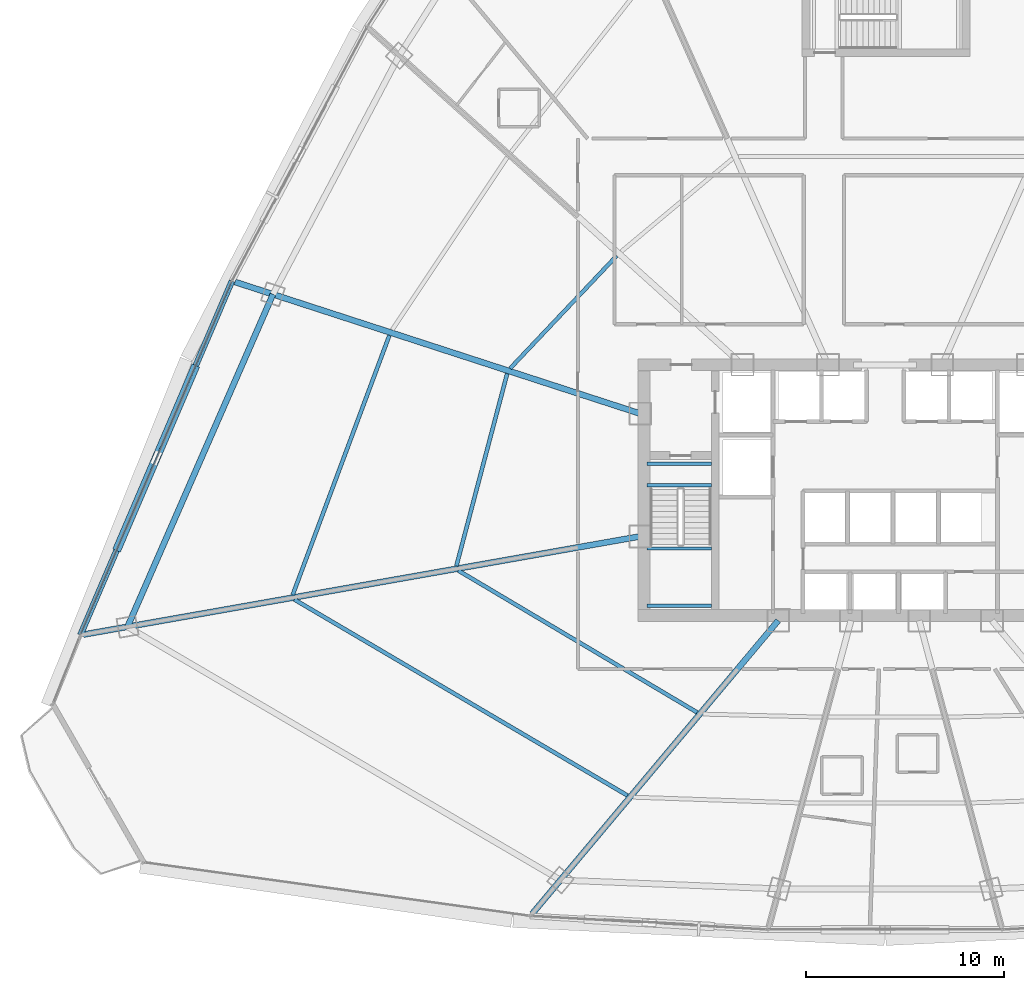
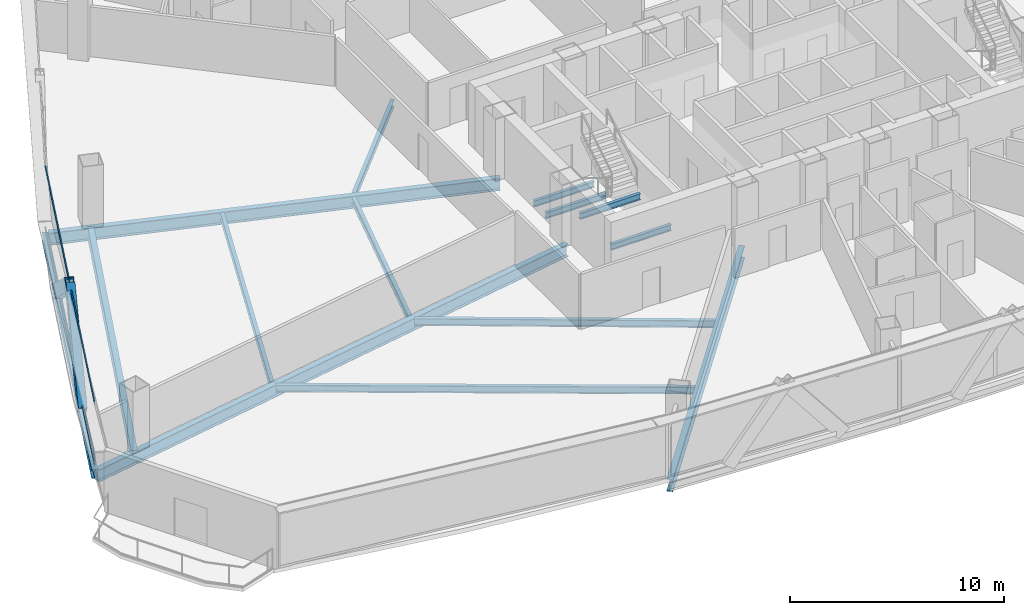
# One storey, part 7 of 37: 14 beams, 4 members, 1 element without a shape of its own.
"""IFC4 building model written with IfcOpenShell, lengths in metres."""

import ifcopenshell
import ifcopenshell.guid

model = None  # the IFC model being written
_history = None  # IfcOwnerHistory: only IFC2X3 demands one
_inside = {}  # id of a spatial element -> (the spatial element, [elements in it])
_under = {}  # id of a project, library or spatial element -> (it, [spatial elements below it])
_declared = {}  # id of a project -> (the project, [libraries it declares])
_typed = {}  # id of a type object -> (the type object, [elements of that type])
_made_of = {}  # id of a material, layer set ... -> (it, [elements and type objects made of it])


def new_model(schema):
    """Start an empty IFC model of exactly this schema.

    Asked for "IFC4X3", IfcOpenShell would pick the latest addendum, in which some entities
    have other attributes; the version numbers below select the first issue.
    IFC2X3 requires an IfcOwnerHistory on every rooted entity: one is made here for all.
    """
    global model, _history
    if schema == "IFC4X3":
        model = ifcopenshell.file(schema_version=(4, 3, 0, 0))
    else:
        model = ifcopenshell.file(schema=schema)
    _inside.clear()
    _under.clear()
    _declared.clear()
    _typed.clear()
    _made_of.clear()
    _history = None
    if model.schema == "IFC2X3":
        org = make("IfcOrganization", Name="unknown")
        user = make(
            "IfcPersonAndOrganization",
            ThePerson=make("IfcPerson", FamilyName="unknown"),
            TheOrganization=org,
        )
        app = make(
            "IfcApplication",
            ApplicationDeveloper=org,
            Version="unknown",
            ApplicationFullName="unknown",
            ApplicationIdentifier="unknown",
        )
        _history = make(
            "IfcOwnerHistory",
            OwningUser=user,
            OwningApplication=app,
            ChangeAction="ADDED",
            CreationDate=0,
        )
    return model


def make(cls, **values):
    """One entity of the class cls with the attributes given. An attribute that is None is left unset."""
    return model.create_entity(
        cls, **{name: value for name, value in values.items() if value is not None}
    )


def rooted(cls, **values):
    """An entity with a GlobalId (a new one), such as an element, a storey or a relation."""
    return make(cls, GlobalId=ifcopenshell.guid.new(), OwnerHistory=_history, **values)


def si_unit(unit_type, name, prefix=None):
    """IfcSIUnit, for example si_unit("LENGTHUNIT", "METRE", prefix="MILLI")."""
    return make("IfcSIUnit", UnitType=unit_type, Prefix=prefix, Name=name)


def assignment(units):
    """IfcUnitAssignment: the units of a project."""
    return None if units is None else make("IfcUnitAssignment", Units=units)


def point(xyz):
    """IfcCartesianPoint."""
    return None if xyz is None else make("IfcCartesianPoint", Coordinates=xyz)


def direction(xyz):
    """IfcDirection."""
    return None if xyz is None else make("IfcDirection", DirectionRatios=xyz)


def frame(location, z_axis=None, x_axis=None):
    """IfcAxis2Placement3D, a coordinate frame: its origin and axes. An axis left out is left unset."""
    return make(
        "IfcAxis2Placement3D",
        Location=point(location),
        Axis=direction(z_axis),
        RefDirection=direction(x_axis),
    )


def frame_2d(location, x_axis=None):
    """IfcAxis2Placement2D, a coordinate frame in the plane: its origin and x axis."""
    return make(
        "IfcAxis2Placement2D", Location=point(location), RefDirection=direction(x_axis)
    )


def origin():
    """The frame at (0, 0, 0) with its axes left unset."""
    return frame((0.0, 0.0, 0.0))


def origin_2d():
    """The frame at (0, 0) in the plane with its x axis left unset."""
    return frame_2d((0.0, 0.0))


def place(relative_to, where):
    """IfcLocalPlacement: puts the frame where relative to a parent placement (None: the world)."""
    return make(
        "IfcLocalPlacement", PlacementRelTo=relative_to, RelativePlacement=where
    )


def context(
    kind, dimensions, precision=None, world=None, true_north=None, identifier=None
):
    """IfcGeometricRepresentationContext, for example the 3D "Model" context."""
    return make(
        "IfcGeometricRepresentationContext",
        ContextIdentifier=identifier,
        ContextType=kind,
        CoordinateSpaceDimension=dimensions,
        Precision=precision,
        WorldCoordinateSystem=world,
        TrueNorth=true_north,
    )


def subcontext(parent, identifier, kind, view, scale=None):
    """IfcGeometricRepresentationSubContext, for example "Body" below "Model"."""
    return make(
        "IfcGeometricRepresentationSubContext",
        ContextIdentifier=identifier,
        ContextType=kind,
        ParentContext=parent,
        TargetScale=scale,
        TargetView=view,
    )


def project(units=None, contexts=None):
    """IfcProject with its units and contexts."""
    return rooted(
        "IfcProject",
        Name="project",
        RepresentationContexts=contexts,
        UnitsInContext=assignment(units),
    )


def spatial(cls, under=None, at=None, **own):
    """A site, building, storey or space (cls), placed at a placement, below another one or the project."""
    s = rooted(cls, ObjectPlacement=at, **own)
    if under is not None:
        _under.setdefault(under.id(), (under, []))[1].append(s)
    return s


def profile(cls, at=None, kind="AREA", **sizes):
    """A parametric profile (cls). Its sizes go by their IFC names, for example OverallWidth=200.0."""
    return make(cls, ProfileType=kind, Position=at, **sizes)


def hollow_rectangle(**sizes):
    """IfcRectangleHollowProfileDef."""
    return profile("IfcRectangleHollowProfileDef", **sizes)


def i_section(**sizes):
    """IfcIShapeProfileDef."""
    return profile("IfcIShapeProfileDef", **sizes)


def extrude(swept, where, along, depth):
    """IfcExtrudedAreaSolid: the profile swept, set in the frame where, extruded along a direction by depth."""
    return make(
        "IfcExtrudedAreaSolid",
        SweptArea=swept,
        Position=where,
        ExtrudedDirection=direction(along),
        Depth=depth,
    )


def shape(context_of_items, identifier, shape_type, items):
    """IfcShapeRepresentation: the items that make up one representation, for example the "Body"."""
    return make(
        "IfcShapeRepresentation",
        ContextOfItems=context_of_items,
        RepresentationIdentifier=identifier,
        RepresentationType=shape_type,
        Items=items,
    )


def source(mapping_origin, context_of_items, identifier, shape_type, items):
    """IfcRepresentationMap: a shape defined once, which mapped items show again and again."""
    return make(
        "IfcRepresentationMap",
        MappingOrigin=mapping_origin,
        MappedRepresentation=shape(context_of_items, identifier, shape_type, items),
    )


def transform(
    local_origin,
    x_axis=None,
    y_axis=None,
    z_axis=None,
    scale=None,
    scale2=None,
    scale3=None,
    uniform=True,
):
    """IfcCartesianTransformationOperator3D, or its non-uniform kind. x_axis, y_axis, z_axis: its Axis1, 2, 3."""
    if uniform:
        return make(
            "IfcCartesianTransformationOperator3D",
            Axis1=direction(x_axis),
            Axis2=direction(y_axis),
            LocalOrigin=point(local_origin),
            Scale=scale,
            Axis3=direction(z_axis),
        )
    return make(
        "IfcCartesianTransformationOperator3DnonUniform",
        Axis1=direction(x_axis),
        Axis2=direction(y_axis),
        LocalOrigin=point(local_origin),
        Scale=scale,
        Axis3=direction(z_axis),
        Scale2=scale2,
        Scale3=scale3,
    )


def mapped(mapping_source, mapping_target):
    """IfcMappedItem: shows the shape of a source again, moved by a transform."""
    return make(
        "IfcMappedItem", MappingSource=mapping_source, MappingTarget=mapping_target
    )


def material(Name=None, Category=None):
    """IfcMaterial."""
    return make("IfcMaterial", Name=Name, Category=Category)


def layer(
    of_material, thickness, ventilated=None, Name=None, Category=None, Priority=None
):
    """IfcMaterialLayer: one layer of a wall or slab, of a material (None: an air gap)."""
    return make(
        "IfcMaterialLayer",
        Material=of_material,
        LayerThickness=thickness,
        IsVentilated=ventilated,
        Name=Name,
        Category=Category,
        Priority=Priority,
    )


def layer_set(layers, Name=None):
    """IfcMaterialLayerSet."""
    return make("IfcMaterialLayerSet", MaterialLayers=layers, LayerSetName=Name)


def material_profile(
    of_material, cross_section, Name=None, Category=None, Priority=None
):
    """IfcMaterialProfile: a cross section and its material."""
    return make(
        "IfcMaterialProfile",
        Name=Name,
        Material=of_material,
        Profile=cross_section,
        Priority=Priority,
        Category=Category,
    )


def profile_set(profiles, Name=None, composite=None):
    """IfcMaterialProfileSet."""
    return make(
        "IfcMaterialProfileSet",
        Name=Name,
        MaterialProfiles=profiles,
        CompositeProfile=composite,
    )


def made_of(thing, what):
    """Note that an element or type object is made of a material, layer set ...; save() writes the relation."""
    if what is not None:
        _made_of.setdefault(what.id(), (what, []))[1].append(thing)
    return thing


def type_object(cls, material=None, **own):
    """A type object (cls), such as IfcWallType, which elements share."""
    return made_of(rooted(cls, **own), material)


def element(
    cls,
    number,
    at=None,
    inside=None,
    cuts=None,
    type_object=None,
    material=None,
    context=None,
    identifier="Body",
    shape_type=None,
    held_by="IfcProductDefinitionShape",
    body=None,
    shapes=None,
    **own,
):
    """One element of the class cls, such as IfcWall. Its Tag is "e" and its number.

    at: its placement. inside: the storey or other place that contains it. cuts: it is an
    opening in that element (IfcRelVoidsElement). A single representation is given by context,
    identifier, shape_type and body (its items); several are given by shapes. held_by: the class
    of the entity that holds the representations. save() writes the other relations.
    """
    e = rooted(cls, Tag="e%d" % number, ObjectPlacement=at, **own)
    if body is not None:
        shapes = [shape(context, identifier, shape_type, body)]
    if shapes is not None:
        e.Representation = make(held_by, Representations=shapes)
    if inside is not None:
        _inside.setdefault(inside.id(), (inside, []))[1].append(e)
    if cuts is not None:
        rooted(
            "IfcRelVoidsElement", RelatingBuildingElement=cuts, RelatedOpeningElement=e
        )
    if type_object is not None:
        _typed.setdefault(type_object.id(), (type_object, []))[1].append(e)
    return made_of(e, material)


def aggregate(whole, parts):
    """IfcRelAggregates: a whole, such as a stair, and the parts it consists of."""
    return rooted("IfcRelAggregates", RelatingObject=whole, RelatedObjects=parts)


def save(model, path):
    """Write the relations noted so far, then the file.

    IfcRelAggregates (storeys below a building ...), IfcRelContainedInSpatialStructure (elements
    in a storey), IfcRelDefinesByType, IfcRelAssociatesMaterial and IfcRelDeclares: one each for
    every whole, place, type object, material and project.
    """
    for whole, parts in _under.values():
        aggregate(whole, parts)
    for where, things in _inside.values():
        rooted(
            "IfcRelContainedInSpatialStructure",
            RelatedElements=things,
            RelatingStructure=where,
        )
    for kind, things in _typed.values():
        rooted("IfcRelDefinesByType", RelatedObjects=things, RelatingType=kind)
    for what, things in _made_of.values():
        rooted("IfcRelAssociatesMaterial", RelatedObjects=things, RelatingMaterial=what)
    for by, libraries in _declared.values():
        rooted("IfcRelDeclares", RelatingContext=by, RelatedDefinitions=libraries)
    model.write(path)


model = new_model("IFC4")

# Units and contexts
model_context = context("Model", 3, precision=1e-05, world=origin(), true_north=direction((0.0, 1.0)))
body_context = subcontext(model_context, "Body", "Model", "MODEL_VIEW")
ifc_project = project(units=[si_unit("LENGTHUNIT", "METRE"), si_unit("AREAUNIT", "SQUARE_METRE"), si_unit("VOLUMEUNIT", "CUBIC_METRE"), si_unit("PLANEANGLEUNIT", "RADIAN"), si_unit("MASSUNIT", "GRAM", prefix="KILO"), si_unit("THERMODYNAMICTEMPERATUREUNIT", "KELVIN"), si_unit("POWERUNIT", "WATT")], contexts=[model_context])

# Site, building, storey
site_placement = place(None, origin())
site = spatial("IfcSite", under=ifc_project, at=site_placement, CompositionType="ELEMENT")
building_placement = place(site_placement, origin())
building = spatial("IfcBuilding", under=site, at=building_placement, Name="Yunzhuo Pagoda Commons", CompositionType="ELEMENT")
storey_placement = place(building_placement, frame((0.0, 0.0, 84.97998046875)))
storey = spatial("IfcBuildingStorey", under=building, at=storey_placement, Name="L21", CompositionType="ELEMENT", Elevation=84.97998046875)

# Beams
ifc_material_1 = material(Name="Structural steel Q355B", Category="steel")
ifc_material_profile_1 = material_profile(ifc_material_1, i_section(OverallWidth=0.175048828125, OverallDepth=0.35009765625, WebThickness=0.007080078125, FlangeThickness=0.010986328125, at=origin_2d()), Name="Structural steel Q355B")
ifc_profile_set_1 = profile_set([ifc_material_profile_1], Name="Structural steel Q355B")
beam_type_1 = type_object("IfcBeamType", Name="B-JS2 Joist HN 350x175x7x11", PredefinedType="JOIST", material=ifc_profile_set_1)
shared_shape_1 = source(origin(), body_context, "Body", "SweptSolid", [
    extrude(i_section(OverallWidth=0.175048828125, OverallDepth=0.35009765625, WebThickness=0.007080078125, FlangeThickness=0.010986328125, at=origin_2d()), origin(), (0.0, 0.0, 1.0), 3.25),
])
for number, where, z_axis, x_axis, name in (
    (1, (35.949951171875, 28.0, 1.52490234375), (1.0, 0.0, 0.0), (0.0, 1.0, 0.0), "L21 ST1 landing support beam 27A"),
    (2, (35.949951171875, 30.89990234375, 1.52490234375), (1.0, 0.0, 0.0), (0.0, 1.0, 0.0), "L21 ST1 landing support beam 27B"),
    (3, (35.949951171875, 34.10009765625, -0.374755859375), (1.0, 0.0, 0.0), (0.0, 1.0, 0.0), "L21 ST1 landing support beam 125A"),
    (4, (35.949951171875, 35.199951171875, -0.374755859375), (1.0, 0.0, 0.0), (0.0, 1.0, 0.0), "L21 ST1 landing support beam 125B"),
):
    element("IfcBeam", number, at=place(storey_placement, frame(where, z_axis=z_axis, x_axis=x_axis)), inside=storey, type_object=beam_type_1, Name=name, PredefinedType="JOIST", context=body_context, shape_type="MappedRepresentation", body=[
        mapped(shared_shape_1, transform((0.0, 0.0, 0.0), scale=1.0)),
    ])
ifc_material_profile_2 = material_profile(ifc_material_1, i_section(OverallWidth=0.300048828125, OverallDepth=0.488037109375, WebThickness=0.010986328125, FlangeThickness=0.01806640625, at=origin_2d()), Name="Structural steel Q355B")
ifc_profile_set_2 = profile_set([ifc_material_profile_2], Name="Structural steel Q355B")
beam_type_2 = type_object("IfcBeamType", Name="B-SP1 Beam HM 488x300x11x18", PredefinedType="BEAM", material=ifc_profile_set_2)
shared_shape_2 = source(origin(), body_context, "Body", "SweptSolid", [
    extrude(i_section(OverallWidth=0.300048828125, OverallDepth=0.488037109375, WebThickness=0.010986328125, FlangeThickness=0.01806640625, at=origin_2d()), origin(), (0.0, 0.0, 1.0), 19.5029296875),
])
beam_1_placement = place(storey_placement, frame((14.93505859375, 44.44384765625, -0.50390625), z_axis=(-0.393683598901, -0.919246008398, 0.0), x_axis=(0.919246008398, -0.393683598901, 0.0)))
element("IfcBeam", 5, at=beam_1_placement, inside=storey, type_object=beam_type_2, Name="L21 facade edge spandrel beam F3.3", PredefinedType="BEAM", context=body_context, shape_type="MappedRepresentation", body=[
    mapped(shared_shape_2, transform((0.0, 0.0, 0.0), scale=1.0)),
])
ifc_material_profile_3 = material_profile(ifc_material_1, i_section(OverallWidth=0.300048828125, OverallDepth=0.699951171875, WebThickness=0.012939453125, FlangeThickness=0.02392578125, at=origin_2d()), Name="Structural steel Q355B")
ifc_profile_set_3 = profile_set([ifc_material_profile_3], Name="Structural steel Q355B")
beam_type_3 = type_object("IfcBeamType", Name="B-RG1 Beam HN 700x300x13x24", PredefinedType="BEAM", material=ifc_profile_set_3)
shared_shape_3 = source(origin(), body_context, "Body", "SweptSolid", [
    extrude(i_section(OverallWidth=0.300048828125, OverallDepth=0.699951171875, WebThickness=0.012939453125, FlangeThickness=0.02392578125, at=origin_2d()), origin(), (0.0, 0.0, 1.0), 18.37158203125),
])
beam_2_placement = place(storey_placement, frame((17.00927734375, 43.76953125, -0.60986328125), z_axis=(-0.400729599795, -0.916196369698, 0.0), x_axis=(0.916196369698, -0.400729599795, 0.0)))
element("IfcBeam", 6, at=beam_2_placement, inside=storey, type_object=beam_type_3, Name="L21 column-ring beam 11", PredefinedType="BEAM", context=body_context, shape_type="MappedRepresentation", body=[
    mapped(shared_shape_3, transform((0.0, 0.0, 0.0), scale=1.0)),
])
shared_shape_4 = source(origin(), body_context, "Body", "SweptSolid", [
    extrude(i_section(OverallWidth=0.300048828125, OverallDepth=0.699951171875, WebThickness=0.012939453125, FlangeThickness=0.02392578125, at=origin_2d()), origin(), (0.0, 0.0, 1.0), 19.369140625),
])
beam_3_placement = place(storey_placement, frame((30.137451171875, 12.41259765625, -0.60986328125), z_axis=(0.642799141194, 0.766034766887, 0.0), x_axis=(-0.766034766887, 0.642799141194, 0.0)))
element("IfcBeam", 7, at=beam_3_placement, inside=storey, type_object=beam_type_3, Name="L21 radial floor girder F1C1", PredefinedType="BEAM", context=body_context, shape_type="MappedRepresentation", body=[
    mapped(shared_shape_4, transform((0.0, 0.0, 0.0), scale=1.0)),
])
shared_shape_5 = source(origin(), body_context, "Body", "SweptSolid", [
    extrude(i_section(OverallWidth=0.300048828125, OverallDepth=0.699951171875, WebThickness=0.012939453125, FlangeThickness=0.02392578125, at=origin_2d()), origin(), (0.0, 0.0, 1.0), 28.625),
])
beam_4_placement = place(storey_placement, frame((7.409912109375, 26.54296875, -0.60986328125), z_axis=(0.984809134913, 0.173640340337, 0.0), x_axis=(-0.173640340337, 0.984809134913, 0.0)))
element("IfcBeam", 8, at=beam_4_placement, inside=storey, type_object=beam_type_3, Name="L21 radial floor girder F3C4", PredefinedType="BEAM", context=body_context, shape_type="MappedRepresentation", body=[
    mapped(shared_shape_5, transform((0.0, 0.0, 0.0), scale=1.0)),
])
shared_shape_6 = source(origin(), body_context, "Body", "SweptSolid", [
    extrude(i_section(OverallWidth=0.300048828125, OverallDepth=0.699951171875, WebThickness=0.012939453125, FlangeThickness=0.02392578125, at=origin_2d()), origin(), (0.0, 0.0, 1.0), 21.57373046875),
])
beam_5_placement = place(storey_placement, frame((15.082275390625, 44.3955078125, -0.60986328125), z_axis=(0.951058432611, -0.309011096499, 0.0), x_axis=(0.309011096499, 0.951058432611, 0.0)))
element("IfcBeam", 9, at=beam_5_placement, inside=storey, type_object=beam_type_3, Name="L21 radial floor girder F3C3", PredefinedType="BEAM", context=body_context, shape_type="MappedRepresentation", body=[
    mapped(shared_shape_6, transform((0.0, 0.0, 0.0), scale=1.0)),
])
ifc_material_profile_4 = material_profile(ifc_material_1, i_section(OverallWidth=0.199951171875, OverallDepth=0.39990234375, WebThickness=0.008056640625, FlangeThickness=0.012939453125, at=origin_2d()), Name="Structural steel Q355B")
ifc_profile_set_4 = profile_set([ifc_material_profile_4], Name="Structural steel Q355B")
beam_type_4 = type_object("IfcBeamType", Name="B-JS1 Joist HN 400x200x8x13", PredefinedType="JOIST", material=ifc_profile_set_4)
shared_shape_7 = source(origin(), body_context, "Body", "SweptSolid", [
    extrude(i_section(OverallWidth=0.199951171875, OverallDepth=0.39990234375, WebThickness=0.008056640625, FlangeThickness=0.012939453125, at=origin_2d()), origin(), (0.0, 0.0, 1.0), 14.061767578125),
])
beam_6_placement = place(storey_placement, frame((26.393798828125, 29.784912109375, -0.459716796875), z_axis=(0.859683443923, -0.510827149088, 0.0), x_axis=(0.510827149088, 0.859683443923, 0.0)))
element("IfcBeam", 10, at=beam_6_placement, inside=storey, type_object=beam_type_4, Name="L21 composite ring joist 1.12", PredefinedType="JOIST", context=body_context, shape_type="MappedRepresentation", body=[
    mapped(shared_shape_7, transform((0.0, 0.0, 0.0), scale=1.0)),
])
shared_shape_8 = source(origin(), body_context, "Body", "SweptSolid", [
    extrude(i_section(OverallWidth=0.199951171875, OverallDepth=0.39990234375, WebThickness=0.008056640625, FlangeThickness=0.012939453125, at=origin_2d()), origin(), (0.0, 0.0, 1.0), 19.568603515625),
])
beam_7_placement = place(storey_placement, frame((18.089111328125, 28.321044921875, -0.459716796875), z_axis=(0.861862685393, -0.50714170754, 0.0), x_axis=(0.50714170754, 0.861862685393, 0.0)))
element("IfcBeam", 11, at=beam_7_placement, inside=storey, type_object=beam_type_4, Name="L21 composite ring joist 2.12", PredefinedType="JOIST", context=body_context, shape_type="MappedRepresentation", body=[
    mapped(shared_shape_8, transform((0.0, 0.0, 0.0), scale=1.0)),
])
shared_shape_9 = source(origin(), body_context, "Body", "SweptSolid", [
    extrude(i_section(OverallWidth=0.199951171875, OverallDepth=0.39990234375, WebThickness=0.008056640625, FlangeThickness=0.012939453125, at=origin_2d()), origin(), (0.0, 0.0, 1.0), 10.0634765625),
])
beam_8_placement = place(storey_placement, frame((28.86669921875, 39.749755859375, -0.459716796875), z_axis=(-0.255289713136, -0.966864603948, 0.0), x_axis=(0.966864603948, -0.255289713136, 0.0)))
element("IfcBeam", 12, at=beam_8_placement, inside=storey, type_object=beam_type_4, Name="L21 composite ring joist 1.11", PredefinedType="JOIST", context=body_context, shape_type="MappedRepresentation", body=[
    mapped(shared_shape_9, transform((0.0, 0.0, 0.0), scale=1.0)),
])
shared_shape_10 = source(origin(), body_context, "Body", "SweptSolid", [
    extrude(i_section(OverallWidth=0.199951171875, OverallDepth=0.39990234375, WebThickness=0.008056640625, FlangeThickness=0.012939453125, at=origin_2d()), origin(), (0.0, 0.0, 1.0), 7.85009765625),
])
beam_9_placement = place(storey_placement, frame((34.41357421875, 45.719482421875, -0.459716796875), z_axis=(-0.687513423145, -0.726171669095, 0.0), x_axis=(0.726171669095, -0.687513423145, 0.0)))
element("IfcBeam", 13, at=beam_9_placement, inside=storey, type_object=beam_type_4, Name="L21 composite ring joist 1.10", PredefinedType="JOIST", context=body_context, shape_type="MappedRepresentation", body=[
    mapped(shared_shape_10, transform((0.0, 0.0, 0.0), scale=1.0)),
])
shared_shape_11 = source(origin(), body_context, "Body", "SweptSolid", [
    extrude(i_section(OverallWidth=0.199951171875, OverallDepth=0.39990234375, WebThickness=0.008056640625, FlangeThickness=0.012939453125, at=origin_2d()), origin(), (0.0, 0.0, 1.0), 14.018798828125),
])
beam_10_placement = place(storey_placement, frame((22.902587890625, 41.6875, -0.459716796875), z_axis=(-0.349137809065, -0.937071390173, 0.0), x_axis=(0.937071390173, -0.349137809065, 0.0)))
element("IfcBeam", 14, at=beam_10_placement, inside=storey, type_object=beam_type_4, Name="L21 composite ring joist 2.11", PredefinedType="JOIST", context=body_context, shape_type="MappedRepresentation", body=[
    mapped(shared_shape_11, transform((0.0, 0.0, 0.0), scale=1.0)),
])

# Members
ifc_material_2 = material(Name="Structural steel Q420B", Category="steel")
ifc_material_profile_5 = material_profile(ifc_material_2, hollow_rectangle(XDim=0.419921875, YDim=0.719970703125, WallThickness=0.028076171875, at=origin_2d()), Name="Structural steel Q420B")
ifc_profile_set_5 = profile_set([ifc_material_profile_5], Name="Structural steel Q420B")
member_type_1 = type_object("IfcMemberType", Name="M-DL1 Brace BOX 720x420x28", PredefinedType="BRACE", material=ifc_profile_set_5)
shared_shape_12 = source(origin(), body_context, "Body", "SweptSolid", [
    extrude(hollow_rectangle(XDim=0.419921875, YDim=0.719970703125, WallThickness=0.028076171875, at=origin_2d()), origin(), (0.0, 0.0, 1.0), 6.181640625),
])
for number, where, z_axis, x_axis, name in (
    (15, (13.015380859375, 39.961669921875, -0.260009765625), (-0.310499435557, -0.725025265576, 0.614758867195), (0.919248598495, -0.393677551006, 0.0), "L21 facade diamond brace F3.3L"),
    (16, (9.176513671875, 30.997802734375, -0.260009765625), (0.310499435557, 0.725025265576, 0.614758867195), (-0.919248598495, 0.393677551006, 0.0), "L21 facade diamond brace F3.3R"),
):
    element("IfcMember", number, at=place(storey_placement, frame(where, z_axis=z_axis, x_axis=x_axis)), inside=storey, type_object=member_type_1, Name=name, PredefinedType="BRACE", context=body_context, shape_type="MappedRepresentation", body=[
        mapped(shared_shape_12, transform((0.0, 0.0, 0.0), scale=1.0)),
    ])

# Curtain wall, members
ifc_material_3 = material(Name="Anodized aluminium 6063-T6", Category="aluminium")
ifc_layer = layer(ifc_material_3, 0.1650390625)
ifc_layer_set = layer_set([ifc_layer], Name="Anodized aluminium 6063-T6")
curtain_wall_type = type_object("IfcCurtainWallType", Name="CW-LOW Low-Zone Ribbon Curtain Wall", PredefinedType="NOTDEFINED", material=ifc_layer_set)
curtain_wall_placement = place(storey_placement, origin())
curtain_wall = element("IfcCurtainWall", 17, at=curtain_wall_placement, inside=storey, type_object=curtain_wall_type, Name="L21 curtain wall CW-L21-F3B4", PredefinedType="NOTDEFINED")
ifc_material_profile_6 = material_profile(ifc_material_3, hollow_rectangle(XDim=0.06005859375, YDim=0.139892578125, WallThickness=0.00341796875, at=origin_2d()), Name="Anodized aluminium 6063-T6")
ifc_profile_set_6 = profile_set([ifc_material_profile_6], Name="Anodized aluminium 6063-T6")
member_type_2 = type_object("IfcMemberType", Name="CW-LOW-T Transom RHS 140x60x3.5", PredefinedType="USERDEFINED", material=ifc_profile_set_6)
shared_shape_13 = source(origin(), body_context, "Body", "SweptSolid", [
    extrude(hollow_rectangle(XDim=0.06005859375, YDim=0.139892578125, WallThickness=0.00341796875, at=origin_2d()), origin(), (0.0, 0.0, 1.0), 19.37255859375),
])
member_1_placement = place(storey_placement, frame((14.9091796875, 44.3837890625, 0.030029296875), z_axis=(-0.39367592675, -0.919249294097, 0.0), x_axis=(0.919249294097, -0.39367592675, 0.0)))
member_1 = element("IfcMember", 18, at=member_1_placement, type_object=member_type_2, Name="CW transom 1.1", ObjectType="TRANSOM", PredefinedType="USERDEFINED", context=body_context, shape_type="MappedRepresentation", body=[
    mapped(shared_shape_13, transform((0.0, 0.0, 0.0), scale=1.0)),
])
member_2_placement = place(storey_placement, frame((14.9091796875, 44.3837890625, 3.510009765625), z_axis=(-0.39367592675, -0.919249294097, 0.0), x_axis=(0.919249294097, -0.39367592675, 0.0)))
member_2 = element("IfcMember", 19, at=member_2_placement, type_object=member_type_2, Name="CW transom 1.2", ObjectType="TRANSOM", PredefinedType="USERDEFINED", context=body_context, shape_type="MappedRepresentation", body=[
    mapped(shared_shape_13, transform((0.0, 0.0, 0.0), scale=1.0)),
])
aggregate(curtain_wall, [member_1, member_2])

save(model, "model.ifc")
